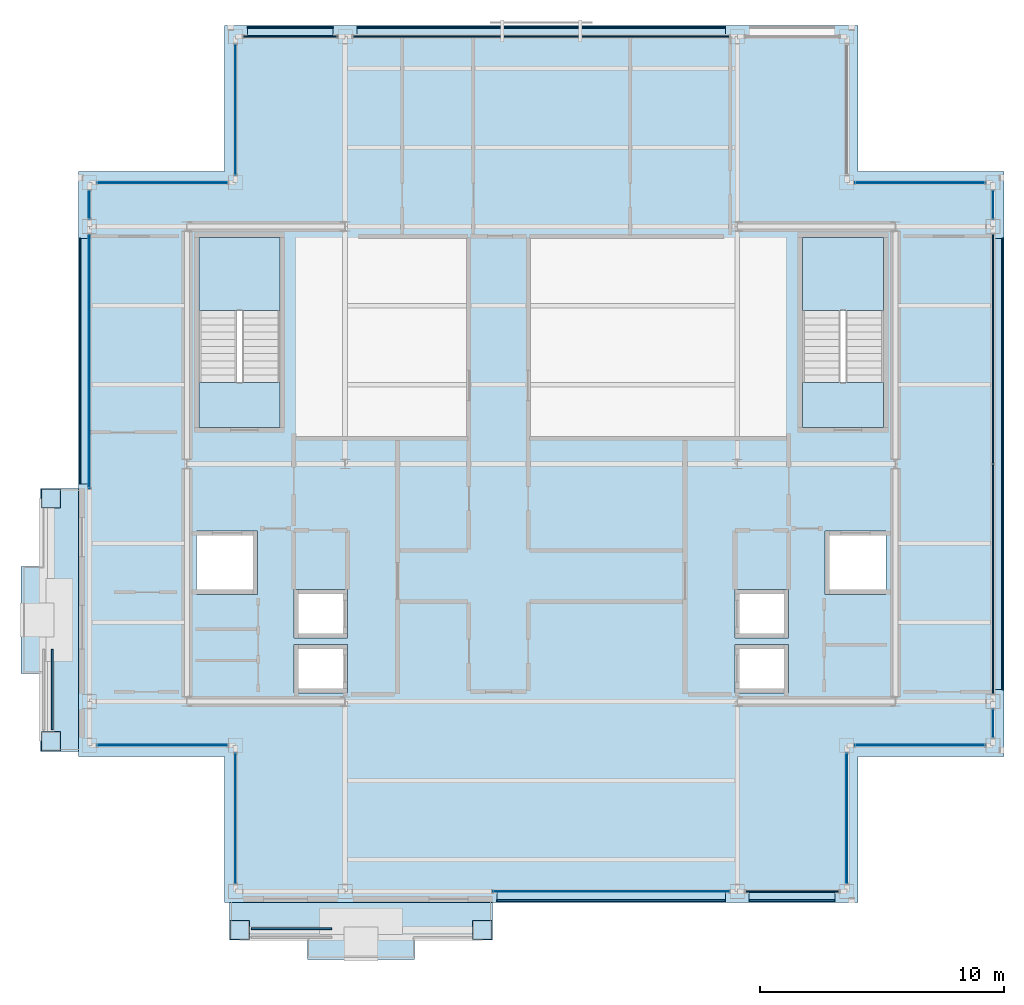
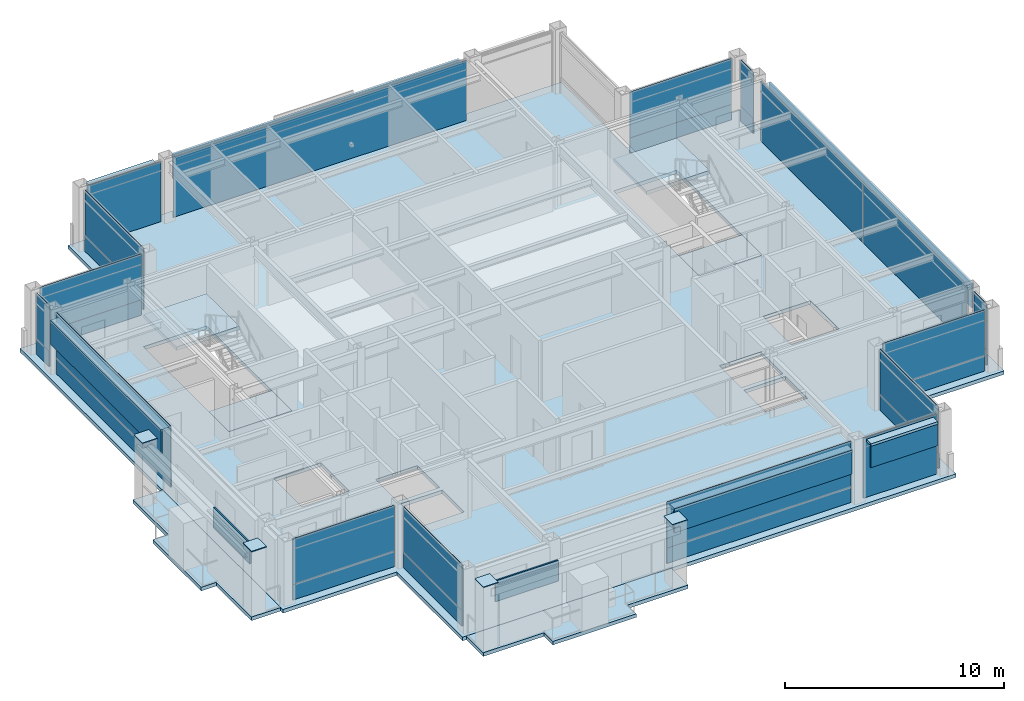
# One storey, part 22 of 28: 47 plates, 7 slabs, 18 elements without a shape of their own.
"""IFC4 building model written with IfcOpenShell, lengths in metres."""

import ifcopenshell
import ifcopenshell.guid

model = None  # the IFC model being written
_history = None  # IfcOwnerHistory: only IFC2X3 demands one
_inside = {}  # id of a spatial element -> (the spatial element, [elements in it])
_under = {}  # id of a project, library or spatial element -> (it, [spatial elements below it])
_declared = {}  # id of a project -> (the project, [libraries it declares])
_typed = {}  # id of a type object -> (the type object, [elements of that type])
_made_of = {}  # id of a material, layer set ... -> (it, [elements and type objects made of it])


def new_model(schema):
    """Start an empty IFC model of exactly this schema.

    Asked for "IFC4X3", IfcOpenShell would pick the latest addendum, in which some entities
    have other attributes; the version numbers below select the first issue.
    IFC2X3 requires an IfcOwnerHistory on every rooted entity: one is made here for all.
    """
    global model, _history
    if schema == "IFC4X3":
        model = ifcopenshell.file(schema_version=(4, 3, 0, 0))
    else:
        model = ifcopenshell.file(schema=schema)
    _inside.clear()
    _under.clear()
    _declared.clear()
    _typed.clear()
    _made_of.clear()
    _history = None
    if model.schema == "IFC2X3":
        org = make("IfcOrganization", Name="unknown")
        user = make(
            "IfcPersonAndOrganization",
            ThePerson=make("IfcPerson", FamilyName="unknown"),
            TheOrganization=org,
        )
        app = make(
            "IfcApplication",
            ApplicationDeveloper=org,
            Version="unknown",
            ApplicationFullName="unknown",
            ApplicationIdentifier="unknown",
        )
        _history = make(
            "IfcOwnerHistory",
            OwningUser=user,
            OwningApplication=app,
            ChangeAction="ADDED",
            CreationDate=0,
        )
    return model


def make(cls, **values):
    """One entity of the class cls with the attributes given. An attribute that is None is left unset."""
    return model.create_entity(
        cls, **{name: value for name, value in values.items() if value is not None}
    )


def rooted(cls, **values):
    """An entity with a GlobalId (a new one), such as an element, a storey or a relation."""
    return make(cls, GlobalId=ifcopenshell.guid.new(), OwnerHistory=_history, **values)


def si_unit(unit_type, name, prefix=None):
    """IfcSIUnit, for example si_unit("LENGTHUNIT", "METRE", prefix="MILLI")."""
    return make("IfcSIUnit", UnitType=unit_type, Prefix=prefix, Name=name)


def assignment(units):
    """IfcUnitAssignment: the units of a project."""
    return None if units is None else make("IfcUnitAssignment", Units=units)


def point(xyz):
    """IfcCartesianPoint."""
    return None if xyz is None else make("IfcCartesianPoint", Coordinates=xyz)


def direction(xyz):
    """IfcDirection."""
    return None if xyz is None else make("IfcDirection", DirectionRatios=xyz)


def frame(location, z_axis=None, x_axis=None):
    """IfcAxis2Placement3D, a coordinate frame: its origin and axes. An axis left out is left unset."""
    return make(
        "IfcAxis2Placement3D",
        Location=point(location),
        Axis=direction(z_axis),
        RefDirection=direction(x_axis),
    )


def frame_2d(location, x_axis=None):
    """IfcAxis2Placement2D, a coordinate frame in the plane: its origin and x axis."""
    return make(
        "IfcAxis2Placement2D", Location=point(location), RefDirection=direction(x_axis)
    )


def origin():
    """The frame at (0, 0, 0) with its axes left unset."""
    return frame((0.0, 0.0, 0.0))


def origin_2d():
    """The frame at (0, 0) in the plane with its x axis left unset."""
    return frame_2d((0.0, 0.0))


def place(relative_to, where):
    """IfcLocalPlacement: puts the frame where relative to a parent placement (None: the world)."""
    return make(
        "IfcLocalPlacement", PlacementRelTo=relative_to, RelativePlacement=where
    )


def context(
    kind, dimensions, precision=None, world=None, true_north=None, identifier=None
):
    """IfcGeometricRepresentationContext, for example the 3D "Model" context."""
    return make(
        "IfcGeometricRepresentationContext",
        ContextIdentifier=identifier,
        ContextType=kind,
        CoordinateSpaceDimension=dimensions,
        Precision=precision,
        WorldCoordinateSystem=world,
        TrueNorth=true_north,
    )


def subcontext(parent, identifier, kind, view, scale=None):
    """IfcGeometricRepresentationSubContext, for example "Body" below "Model"."""
    return make(
        "IfcGeometricRepresentationSubContext",
        ContextIdentifier=identifier,
        ContextType=kind,
        ParentContext=parent,
        TargetScale=scale,
        TargetView=view,
    )


def project(units=None, contexts=None):
    """IfcProject with its units and contexts."""
    return rooted(
        "IfcProject",
        Name="project",
        RepresentationContexts=contexts,
        UnitsInContext=assignment(units),
    )


def spatial(cls, under=None, at=None, **own):
    """A site, building, storey or space (cls), placed at a placement, below another one or the project."""
    s = rooted(cls, ObjectPlacement=at, **own)
    if under is not None:
        _under.setdefault(under.id(), (under, []))[1].append(s)
    return s


def polyline(points):
    """IfcPolyline through the points."""
    return make("IfcPolyline", Points=[point(p) for p in points])


def profile(cls, at=None, kind="AREA", **sizes):
    """A parametric profile (cls). Its sizes go by their IFC names, for example OverallWidth=200.0."""
    return make(cls, ProfileType=kind, Position=at, **sizes)


def rectangle(**sizes):
    """IfcRectangleProfileDef."""
    return profile("IfcRectangleProfileDef", **sizes)


def outline(outer, holes=None, kind="AREA"):
    """IfcArbitraryClosedProfileDef: a profile drawn as a closed curve; with holes, ...WithVoids."""
    if holes is None:
        return make("IfcArbitraryClosedProfileDef", ProfileType=kind, OuterCurve=outer)
    return make(
        "IfcArbitraryProfileDefWithVoids",
        ProfileType=kind,
        OuterCurve=outer,
        InnerCurves=holes,
    )


def extrude(swept, where, along, depth):
    """IfcExtrudedAreaSolid: the profile swept, set in the frame where, extruded along a direction by depth."""
    return make(
        "IfcExtrudedAreaSolid",
        SweptArea=swept,
        Position=where,
        ExtrudedDirection=direction(along),
        Depth=depth,
    )


def shape(context_of_items, identifier, shape_type, items):
    """IfcShapeRepresentation: the items that make up one representation, for example the "Body"."""
    return make(
        "IfcShapeRepresentation",
        ContextOfItems=context_of_items,
        RepresentationIdentifier=identifier,
        RepresentationType=shape_type,
        Items=items,
    )


def material(Name=None, Category=None):
    """IfcMaterial."""
    return make("IfcMaterial", Name=Name, Category=Category)


def layer(
    of_material, thickness, ventilated=None, Name=None, Category=None, Priority=None
):
    """IfcMaterialLayer: one layer of a wall or slab, of a material (None: an air gap)."""
    return make(
        "IfcMaterialLayer",
        Material=of_material,
        LayerThickness=thickness,
        IsVentilated=ventilated,
        Name=Name,
        Category=Category,
        Priority=Priority,
    )


def layer_set(layers, Name=None):
    """IfcMaterialLayerSet."""
    return make("IfcMaterialLayerSet", MaterialLayers=layers, LayerSetName=Name)


def made_of(thing, what):
    """Note that an element or type object is made of a material, layer set ...; save() writes the relation."""
    if what is not None:
        _made_of.setdefault(what.id(), (what, []))[1].append(thing)
    return thing


def type_object(cls, material=None, **own):
    """A type object (cls), such as IfcWallType, which elements share."""
    return made_of(rooted(cls, **own), material)


def element(
    cls,
    number,
    at=None,
    inside=None,
    cuts=None,
    type_object=None,
    material=None,
    context=None,
    identifier="Body",
    shape_type=None,
    held_by="IfcProductDefinitionShape",
    body=None,
    shapes=None,
    **own,
):
    """One element of the class cls, such as IfcWall. Its Tag is "e" and its number.

    at: its placement. inside: the storey or other place that contains it. cuts: it is an
    opening in that element (IfcRelVoidsElement). A single representation is given by context,
    identifier, shape_type and body (its items); several are given by shapes. held_by: the class
    of the entity that holds the representations. save() writes the other relations.
    """
    e = rooted(cls, Tag="e%d" % number, ObjectPlacement=at, **own)
    if body is not None:
        shapes = [shape(context, identifier, shape_type, body)]
    if shapes is not None:
        e.Representation = make(held_by, Representations=shapes)
    if inside is not None:
        _inside.setdefault(inside.id(), (inside, []))[1].append(e)
    if cuts is not None:
        rooted(
            "IfcRelVoidsElement", RelatingBuildingElement=cuts, RelatedOpeningElement=e
        )
    if type_object is not None:
        _typed.setdefault(type_object.id(), (type_object, []))[1].append(e)
    return made_of(e, material)


def aggregate(whole, parts):
    """IfcRelAggregates: a whole, such as a stair, and the parts it consists of."""
    return rooted("IfcRelAggregates", RelatingObject=whole, RelatedObjects=parts)


def save(model, path):
    """Write the relations noted so far, then the file.

    IfcRelAggregates (storeys below a building ...), IfcRelContainedInSpatialStructure (elements
    in a storey), IfcRelDefinesByType, IfcRelAssociatesMaterial and IfcRelDeclares: one each for
    every whole, place, type object, material and project.
    """
    for whole, parts in _under.values():
        aggregate(whole, parts)
    for where, things in _inside.values():
        rooted(
            "IfcRelContainedInSpatialStructure",
            RelatedElements=things,
            RelatingStructure=where,
        )
    for kind, things in _typed.values():
        rooted("IfcRelDefinesByType", RelatedObjects=things, RelatingType=kind)
    for what, things in _made_of.values():
        rooted("IfcRelAssociatesMaterial", RelatedObjects=things, RelatingMaterial=what)
    for by, libraries in _declared.values():
        rooted("IfcRelDeclares", RelatingContext=by, RelatedDefinitions=libraries)
    model.write(path)


model = new_model("IFC4")

# Units and contexts
model_context = context("Model", 3, precision=1e-05, world=origin(), true_north=direction((0.0, 1.0)))
body_context = subcontext(model_context, "Body", "Model", "MODEL_VIEW")
ifc_project = project(units=[si_unit("LENGTHUNIT", "METRE"), si_unit("AREAUNIT", "SQUARE_METRE"), si_unit("VOLUMEUNIT", "CUBIC_METRE"), si_unit("PLANEANGLEUNIT", "RADIAN"), si_unit("MASSUNIT", "GRAM", prefix="KILO")], contexts=[model_context])

# Site, building, storey
site_placement = place(None, origin())
site = spatial("IfcSite", under=ifc_project, at=site_placement, CompositionType="ELEMENT")
building_placement = place(site_placement, origin())
building = spatial("IfcBuilding", under=site, at=building_placement, Name="Brelmoor Portico Tower", CompositionType="ELEMENT")
storey_placement = place(building_placement, frame((0.0, 0.0, 265.199951171875)))
storey = spatial("IfcBuildingStorey", under=building, at=storey_placement, Name="L70", CompositionType="ELEMENT", Elevation=265.199951171875)

# Plates
ifc_material_1 = material(Name="Steel Q355B", Category="steel")
ifc_layer_1 = layer(ifc_material_1, 0.044921875)
ifc_layer_set_1 = layer_set([ifc_layer_1], Name="Steel Q355B")
plate_type_1 = type_object("IfcPlateType", Name="PT-CAP-650", PredefinedType="SHEET", material=ifc_layer_set_1)
for number, where, z_axis, x_axis, name in (
    (1, (-12.3798828125, -19.1298828125, 3.60009765625), (0.0, 0.0, 1.0), (1.0, 0.0, 0.0), "L70 Proud Picture-Frame Pier PFJ-S1 Welded Head Cap Plate"),
    (2, (-2.419921875, -19.1298828125, 3.60009765625), (0.0, 0.0, 1.0), (1.0, 0.0, 0.0), "L70 Proud Picture-Frame Pier PFJ-S2 Welded Head Cap Plate"),
    (3, (-20.1298828125, -11.3798828125, 3.60009765625), (0.0, 0.0, 1.0), (0.0, 1.0, 0.0), "L70 Proud Picture-Frame Pier PFJ-W1 Welded Head Cap Plate"),
    (4, (-20.1298828125, -1.419921875, 3.60009765625), (0.0, 0.0, 1.0), (0.0, 1.0, 0.0), "L70 Proud Picture-Frame Pier PFJ-W2 Welded Head Cap Plate"),
):
    element("IfcPlate", number, at=place(storey_placement, frame(where, z_axis=z_axis, x_axis=x_axis)), inside=storey, type_object=plate_type_1, Name=name, PredefinedType="SHEET", context=body_context, shape_type="SweptSolid", body=[
        extrude(rectangle(XDim=0.7900390625, YDim=0.7900390625, at=origin_2d()), origin(), (0.0, 0.0, 1.0), 0.0400390625),
    ])

# Curtain wall, plate
ifc_material_2 = material(Name="Anodised Aluminium Alloy 6063-T6", Category="aluminium")
ifc_layer_2 = layer(ifc_material_2, 0.179931640625)
ifc_layer_set_2 = layer_set([ifc_layer_2], Name="Anodised Aluminium Alloy 6063-T6")
curtain_wall_type_1 = type_object("IfcCurtainWallType", Name="CW-TOWER-Z4", PredefinedType="NOTDEFINED", material=ifc_layer_set_2)
curtain_wall_1_placement = place(storey_placement, origin())
curtain_wall_1 = element("IfcCurtainWall", 5, at=curtain_wall_1_placement, inside=storey, type_object=curtain_wall_type_1, Name="L70 Curtain Wall CW-L70-1R-1", PredefinedType="NOTDEFINED")
ifc_material_3 = material(Name="Double-Silver Low-E Insulated Glazing", Category="glass")
ifc_layer_3 = layer(ifc_material_3, 0.035888671875)
ifc_layer_set_3 = layer_set([ifc_layer_3], Name="Double-Silver Low-E Insulated Glazing")
plate_type_2 = type_object("IfcPlateType", Name="PT-CW-GLASS", PredefinedType="CURTAIN_PANEL", material=ifc_layer_set_3)
plate_1_placement = place(storey_placement, frame((2.8701171875, -17.550048828125, 0.85009765625), z_axis=(0.0, 0.0, 1.0), x_axis=(1.0, 0.0, 0.0)))
plate_1 = element("IfcPlate", 6, at=plate_1_placement, type_object=plate_type_2, Name="CW-L70-1R-1 Vision Glass Panel 00", PredefinedType="CURTAIN_PANEL", context=body_context, shape_type="SweptSolid", body=[
    extrude(rectangle(XDim=9.7099609375, YDim=0.035888671875, at=origin_2d()), origin(), (0.0, 0.0, 1.0), 2.550048828125),
])

curtain_wall_2_placement = place(storey_placement, origin())
curtain_wall_2 = element("IfcCurtainWall", 7, at=curtain_wall_2_placement, inside=storey, type_object=curtain_wall_type_1, Name="L70 Curtain Wall CW-L70-3R-1", PredefinedType="NOTDEFINED")
plate_2_placement = place(storey_placement, frame((-18.550048828125, 4.219970703125, 0.85009765625), z_axis=(0.0, 0.0, 1.0), x_axis=(0.0, 1.0, 0.0)))
plate_2 = element("IfcPlate", 8, at=plate_2_placement, type_object=plate_type_2, Name="CW-L70-3R-1 Vision Glass Panel 00", PredefinedType="CURTAIN_PANEL", context=body_context, shape_type="SweptSolid", body=[
    extrude(rectangle(XDim=10.409912109375, YDim=0.035888671875, at=origin_2d()), origin(), (0.0, 0.0, 1.0), 2.550048828125),
])

curtain_wall_3_placement = place(storey_placement, origin())
curtain_wall_3 = element("IfcCurtainWall", 9, at=curtain_wall_3_placement, inside=storey, type_object=curtain_wall_type_1, Name="L70 Curtain Wall CW-L70-3R-2", PredefinedType="NOTDEFINED")
plate_3_placement = place(storey_placement, frame((-18.550048828125, 10.64990234375, 0.85009765625), z_axis=(0.0, 0.0, 1.0), x_axis=(0.0, 1.0, 0.0)))
plate_3 = element("IfcPlate", 10, at=plate_3_placement, type_object=plate_type_2, Name="CW-L70-3R-2 Vision Glass Panel 00", PredefinedType="CURTAIN_PANEL", context=body_context, shape_type="SweptSolid", body=[
    extrude(rectangle(XDim=1.14990234375, YDim=0.035888671875, at=origin_2d()), origin(), (0.0, 0.0, 1.0), 2.550048828125),
])

curtain_wall_4_placement = place(storey_placement, origin())
curtain_wall_4 = element("IfcCurtainWall", 11, at=curtain_wall_4_placement, inside=storey, type_object=curtain_wall_type_1, Name="L70 Curtain Wall CW-L70-04-1", PredefinedType="NOTDEFINED")
plate_4_placement = place(storey_placement, frame((18.550048828125, -10.64990234375, 0.85009765625), z_axis=(0.0, 0.0, 1.0), x_axis=(0.0, 1.0, 0.0)))
plate_4 = element("IfcPlate", 12, at=plate_4_placement, type_object=plate_type_2, Name="CW-L70-04-1 Vision Glass Panel 00", PredefinedType="CURTAIN_PANEL", context=body_context, shape_type="SweptSolid", body=[
    extrude(rectangle(XDim=1.14990234375, YDim=0.035888671875, at=origin_2d()), origin(), (0.0, 0.0, 1.0), 2.550048828125),
])

curtain_wall_5_placement = place(storey_placement, origin())
curtain_wall_5 = element("IfcCurtainWall", 13, at=curtain_wall_5_placement, inside=storey, type_object=curtain_wall_type_1, Name="L70 Curtain Wall CW-L70-04-3", PredefinedType="NOTDEFINED")
plate_5_placement = place(storey_placement, frame((18.550048828125, 10.64990234375, 0.85009765625), z_axis=(0.0, 0.0, 1.0), x_axis=(0.0, 1.0, 0.0)))
plate_5 = element("IfcPlate", 14, at=plate_5_placement, type_object=plate_type_2, Name="CW-L70-04-3 Vision Glass Panel 00", PredefinedType="CURTAIN_PANEL", context=body_context, shape_type="SweptSolid", body=[
    extrude(rectangle(XDim=1.14990234375, YDim=0.035888671875, at=origin_2d()), origin(), (0.0, 0.0, 1.0), 2.550048828125),
])

ifc_layer_4 = layer(ifc_material_2, 0.179931640625)
ifc_layer_set_4 = layer_set([ifc_layer_4], Name="Anodised Aluminium Alloy 6063-T6")
curtain_wall_type_2 = type_object("IfcCurtainWallType", Name="CW-NOTCH-CHAMFER", PredefinedType="NOTDEFINED", material=ifc_layer_set_4)
curtain_wall_6_placement = place(storey_placement, origin())
curtain_wall_6 = element("IfcCurtainWall", 15, at=curtain_wall_6_placement, inside=storey, type_object=curtain_wall_type_2, Name="L70 Curtain Wall CWN-L70-SWH", PredefinedType="NOTDEFINED")
plate_6_placement = place(storey_placement, frame((-15.550048828125, -11.550048828125, 0.85009765625), z_axis=(0.0, 0.0, 1.0), x_axis=(1.0, 0.0, 0.0)))
plate_6 = element("IfcPlate", 16, at=plate_6_placement, type_object=plate_type_2, Name="CWN-L70-SWH Vision Glass Panel 00", PredefinedType="CURTAIN_PANEL", context=body_context, shape_type="SweptSolid", body=[
    extrude(rectangle(XDim=5.35009765625, YDim=0.035888671875, at=origin_2d()), origin(), (0.0, 0.0, 1.0), 2.550048828125),
])

curtain_wall_7_placement = place(storey_placement, origin())
curtain_wall_7 = element("IfcCurtainWall", 17, at=curtain_wall_7_placement, inside=storey, type_object=curtain_wall_type_2, Name="L70 Curtain Wall CWN-L70-SWV", PredefinedType="NOTDEFINED")
plate_7_placement = place(storey_placement, frame((-12.550048828125, -14.550048828125, 0.85009765625), z_axis=(0.0, 0.0, 1.0), x_axis=(0.0, 1.0, 0.0)))
plate_7 = element("IfcPlate", 18, at=plate_7_placement, type_object=plate_type_2, Name="CWN-L70-SWV Vision Glass Panel 00", PredefinedType="CURTAIN_PANEL", context=body_context, shape_type="SweptSolid", body=[
    extrude(rectangle(XDim=5.35009765625, YDim=0.035888671875, at=origin_2d()), origin(), (0.0, 0.0, 1.0), 2.550048828125),
])

curtain_wall_8_placement = place(storey_placement, origin())
curtain_wall_8 = element("IfcCurtainWall", 19, at=curtain_wall_8_placement, inside=storey, type_object=curtain_wall_type_2, Name="L70 Curtain Wall CWN-L70-SEH", PredefinedType="NOTDEFINED")
plate_8_placement = place(storey_placement, frame((15.550048828125, -11.550048828125, 0.85009765625), z_axis=(0.0, 0.0, 1.0), x_axis=(1.0, 0.0, 0.0)))
plate_8 = element("IfcPlate", 20, at=plate_8_placement, type_object=plate_type_2, Name="CWN-L70-SEH Vision Glass Panel 00", PredefinedType="CURTAIN_PANEL", context=body_context, shape_type="SweptSolid", body=[
    extrude(rectangle(XDim=5.35009765625, YDim=0.035888671875, at=origin_2d()), origin(), (0.0, 0.0, 1.0), 2.550048828125),
])

curtain_wall_9_placement = place(storey_placement, origin())
curtain_wall_9 = element("IfcCurtainWall", 21, at=curtain_wall_9_placement, inside=storey, type_object=curtain_wall_type_2, Name="L70 Curtain Wall CWN-L70-SEV", PredefinedType="NOTDEFINED")
plate_9_placement = place(storey_placement, frame((12.550048828125, -14.550048828125, 0.85009765625), z_axis=(0.0, 0.0, 1.0), x_axis=(0.0, 1.0, 0.0)))
plate_9 = element("IfcPlate", 22, at=plate_9_placement, type_object=plate_type_2, Name="CWN-L70-SEV Vision Glass Panel 00", PredefinedType="CURTAIN_PANEL", context=body_context, shape_type="SweptSolid", body=[
    extrude(rectangle(XDim=5.35009765625, YDim=0.035888671875, at=origin_2d()), origin(), (0.0, 0.0, 1.0), 2.550048828125),
])

curtain_wall_10_placement = place(storey_placement, origin())
curtain_wall_10 = element("IfcCurtainWall", 23, at=curtain_wall_10_placement, inside=storey, type_object=curtain_wall_type_2, Name="L70 Curtain Wall CWN-L70-NWH", PredefinedType="NOTDEFINED")
plate_10_placement = place(storey_placement, frame((-15.550048828125, 11.550048828125, 0.85009765625), z_axis=(0.0, 0.0, 1.0), x_axis=(1.0, 0.0, 0.0)))
plate_10 = element("IfcPlate", 24, at=plate_10_placement, type_object=plate_type_2, Name="CWN-L70-NWH Vision Glass Panel 00", PredefinedType="CURTAIN_PANEL", context=body_context, shape_type="SweptSolid", body=[
    extrude(rectangle(XDim=5.35009765625, YDim=0.035888671875, at=origin_2d()), origin(), (0.0, 0.0, 1.0), 2.550048828125),
])

curtain_wall_11_placement = place(storey_placement, origin())
curtain_wall_11 = element("IfcCurtainWall", 25, at=curtain_wall_11_placement, inside=storey, type_object=curtain_wall_type_2, Name="L70 Curtain Wall CWN-L70-NWV", PredefinedType="NOTDEFINED")
plate_11_placement = place(storey_placement, frame((-12.550048828125, 14.550048828125, 0.85009765625), z_axis=(0.0, 0.0, 1.0), x_axis=(0.0, 1.0, 0.0)))
plate_11 = element("IfcPlate", 26, at=plate_11_placement, type_object=plate_type_2, Name="CWN-L70-NWV Vision Glass Panel 00", PredefinedType="CURTAIN_PANEL", context=body_context, shape_type="SweptSolid", body=[
    extrude(rectangle(XDim=5.35009765625, YDim=0.035888671875, at=origin_2d()), origin(), (0.0, 0.0, 1.0), 2.550048828125),
])

curtain_wall_12_placement = place(storey_placement, origin())
curtain_wall_12 = element("IfcCurtainWall", 27, at=curtain_wall_12_placement, inside=storey, type_object=curtain_wall_type_2, Name="L70 Curtain Wall CWN-L70-NEH", PredefinedType="NOTDEFINED")
plate_12_placement = place(storey_placement, frame((15.550048828125, 11.550048828125, 0.85009765625), z_axis=(0.0, 0.0, 1.0), x_axis=(1.0, 0.0, 0.0)))
plate_12 = element("IfcPlate", 28, at=plate_12_placement, type_object=plate_type_2, Name="CWN-L70-NEH Vision Glass Panel 00", PredefinedType="CURTAIN_PANEL", context=body_context, shape_type="SweptSolid", body=[
    extrude(rectangle(XDim=5.35009765625, YDim=0.035888671875, at=origin_2d()), origin(), (0.0, 0.0, 1.0), 2.550048828125),
])

# Plate
ifc_material_4 = material(Name="Pale Champagne Anodised Aluminium Panel", Category="aluminium")
ifc_layer_5 = layer(ifc_material_4, 0.050048828125)
ifc_layer_set_5 = layer_set([ifc_layer_5], Name="Pale Champagne Anodised Aluminium Panel")
plate_type_3 = type_object("IfcPlateType", Name="PT-CW-SPANDREL", PredefinedType="SHEET", material=ifc_layer_set_5)
plate_13_placement = place(storey_placement, frame((2.8701171875, -17.550048828125, 0.0), z_axis=(0.0, 0.0, 1.0), x_axis=(1.0, 0.0, 0.0)))
plate_13 = element("IfcPlate", 29, at=plate_13_placement, type_object=plate_type_3, Name="CW-L70-1R-1 Spandrel Panel 00", PredefinedType="SHEET", context=body_context, shape_type="SweptSolid", body=[
    extrude(rectangle(XDim=9.7099609375, YDim=0.050048828125, at=origin_2d()), origin(), (0.0, 0.0, 1.0), 0.85009765625),
])

aggregate(curtain_wall_1, [plate_13, plate_1])

# Curtain wall, plate
ifc_layer_6 = layer(ifc_material_2, 0.179931640625)
ifc_layer_set_6 = layer_set([ifc_layer_6], Name="Anodised Aluminium Alloy 6063-T6")
curtain_wall_type_3 = type_object("IfcCurtainWallType", Name="CW-TOWER-Z4-XB", PredefinedType="NOTDEFINED", material=ifc_layer_set_6)
curtain_wall_13_placement = place(storey_placement, origin())
curtain_wall_13 = element("IfcCurtainWall", 30, at=curtain_wall_13_placement, inside=storey, type_object=curtain_wall_type_3, Name="L70 Curtain Wall CW-L70-1R-2", PredefinedType="NOTDEFINED")
plate_14_placement = place(storey_placement, frame((10.300048828125, -17.550048828125, 0.0), z_axis=(0.0, 0.0, 1.0), x_axis=(1.0, 0.0, 0.0)))
plate_14 = element("IfcPlate", 31, at=plate_14_placement, type_object=plate_type_3, Name="CW-L70-1R-2 Spandrel Panel 00", PredefinedType="SHEET", context=body_context, shape_type="SweptSolid", body=[
    extrude(rectangle(XDim=3.85009765625, YDim=0.050048828125, at=origin_2d()), origin(), (0.0, 0.0, 1.0), 3.33740234375),
])
aggregate(curtain_wall_13, [plate_14])

curtain_wall_14_placement = place(storey_placement, origin())
curtain_wall_14 = element("IfcCurtainWall", 32, at=curtain_wall_14_placement, inside=storey, type_object=curtain_wall_type_3, Name="L70 Curtain Wall CW-L70-02-1", PredefinedType="NOTDEFINED")
plate_15_placement = place(storey_placement, frame((-10.300048828125, 17.550048828125, 0.0), z_axis=(0.0, 0.0, 1.0), x_axis=(1.0, 0.0, 0.0)))
plate_15 = element("IfcPlate", 33, at=plate_15_placement, type_object=plate_type_3, Name="CW-L70-02-1 Spandrel Panel 00", PredefinedType="SHEET", context=body_context, shape_type="SweptSolid", body=[
    extrude(rectangle(XDim=3.85009765625, YDim=0.050048828125, at=origin_2d()), origin(), (0.0, 0.0, 1.0), 3.33740234375),
])
aggregate(curtain_wall_14, [plate_15])

curtain_wall_15_placement = place(storey_placement, origin())
curtain_wall_15 = element("IfcCurtainWall", 34, at=curtain_wall_15_placement, inside=storey, type_object=curtain_wall_type_3, Name="L70 Curtain Wall CW-L70-02-2", PredefinedType="NOTDEFINED")
plate_16_placement = place(storey_placement, frame((0.0, 17.550048828125, 0.0), z_axis=(0.0, 0.0, 1.0), x_axis=(1.0, 0.0, 0.0)))
plate_16 = element("IfcPlate", 35, at=plate_16_placement, type_object=plate_type_3, Name="CW-L70-02-2 Spandrel Panel 00", PredefinedType="SHEET", context=body_context, shape_type="SweptSolid", body=[
    extrude(rectangle(XDim=15.449951171875, YDim=0.050048828125, at=origin_2d()), origin(), (0.0, 0.0, 1.0), 3.33740234375),
])
aggregate(curtain_wall_15, [plate_16])

# Plate
plate_17_placement = place(storey_placement, frame((-18.550048828125, 4.219970703125, 0.0), z_axis=(0.0, 0.0, 1.0), x_axis=(0.0, 1.0, 0.0)))
plate_17 = element("IfcPlate", 36, at=plate_17_placement, type_object=plate_type_3, Name="CW-L70-3R-1 Spandrel Panel 00", PredefinedType="SHEET", context=body_context, shape_type="SweptSolid", body=[
    extrude(rectangle(XDim=10.409912109375, YDim=0.050048828125, at=origin_2d()), origin(), (0.0, 0.0, 1.0), 0.85009765625),
])

aggregate(curtain_wall_2, [plate_17, plate_2])

plate_18_placement = place(storey_placement, frame((-18.550048828125, 10.64990234375, 0.0), z_axis=(0.0, 0.0, 1.0), x_axis=(0.0, 1.0, 0.0)))
plate_18 = element("IfcPlate", 37, at=plate_18_placement, type_object=plate_type_3, Name="CW-L70-3R-2 Spandrel Panel 00", PredefinedType="SHEET", context=body_context, shape_type="SweptSolid", body=[
    extrude(rectangle(XDim=1.14990234375, YDim=0.050048828125, at=origin_2d()), origin(), (0.0, 0.0, 1.0), 0.85009765625),
])

aggregate(curtain_wall_3, [plate_18, plate_3])

plate_19_placement = place(storey_placement, frame((18.550048828125, -10.64990234375, 0.0), z_axis=(0.0, 0.0, 1.0), x_axis=(0.0, 1.0, 0.0)))
plate_19 = element("IfcPlate", 38, at=plate_19_placement, type_object=plate_type_3, Name="CW-L70-04-1 Spandrel Panel 00", PredefinedType="SHEET", context=body_context, shape_type="SweptSolid", body=[
    extrude(rectangle(XDim=1.14990234375, YDim=0.050048828125, at=origin_2d()), origin(), (0.0, 0.0, 1.0), 0.85009765625),
])

aggregate(curtain_wall_4, [plate_19, plate_4])

# Curtain wall, plates
curtain_wall_16_placement = place(storey_placement, origin())
curtain_wall_16 = element("IfcCurtainWall", 39, at=curtain_wall_16_placement, inside=storey, type_object=curtain_wall_type_3, Name="L70 Curtain Wall CW-L70-04-2", PredefinedType="NOTDEFINED")
plate_20_placement = place(storey_placement, frame((18.550048828125, -4.719970703125, 0.0), z_axis=(0.0, 0.0, 1.0), x_axis=(0.0, 1.0, 0.0)))
plate_20 = element("IfcPlate", 40, at=plate_20_placement, type_object=plate_type_3, Name="CW-L70-04-2 Spandrel Panel 00", PredefinedType="SHEET", context=body_context, shape_type="SweptSolid", body=[
    extrude(rectangle(XDim=9.409912109375, YDim=0.050048828125, at=origin_2d()), origin(), (0.0, 0.0, 1.0), 3.33740234375),
])
plate_21_placement = place(storey_placement, frame((18.550048828125, 4.719970703125, 0.0), z_axis=(0.0, 0.0, 1.0), x_axis=(0.0, 1.0, 0.0)))
plate_21 = element("IfcPlate", 41, at=plate_21_placement, type_object=plate_type_3, Name="CW-L70-04-2 Spandrel Panel 01", PredefinedType="SHEET", context=body_context, shape_type="SweptSolid", body=[
    extrude(rectangle(XDim=9.409912109375, YDim=0.050048828125, at=origin_2d()), origin(), (0.0, 0.0, 1.0), 3.33740234375),
])
aggregate(curtain_wall_16, [plate_20, plate_21])

# Plate
plate_22_placement = place(storey_placement, frame((18.550048828125, 10.64990234375, 0.0), z_axis=(0.0, 0.0, 1.0), x_axis=(0.0, 1.0, 0.0)))
plate_22 = element("IfcPlate", 42, at=plate_22_placement, type_object=plate_type_3, Name="CW-L70-04-3 Spandrel Panel 00", PredefinedType="SHEET", context=body_context, shape_type="SweptSolid", body=[
    extrude(rectangle(XDim=1.14990234375, YDim=0.050048828125, at=origin_2d()), origin(), (0.0, 0.0, 1.0), 0.85009765625),
])

aggregate(curtain_wall_5, [plate_22, plate_5])

plate_23_placement = place(storey_placement, frame((-15.550048828125, -11.550048828125, 0.0), z_axis=(0.0, 0.0, 1.0), x_axis=(1.0, 0.0, 0.0)))
plate_23 = element("IfcPlate", 43, at=plate_23_placement, type_object=plate_type_3, Name="CWN-L70-SWH Spandrel Panel 00", PredefinedType="SHEET", context=body_context, shape_type="SweptSolid", body=[
    extrude(rectangle(XDim=5.35009765625, YDim=0.050048828125, at=origin_2d()), origin(), (0.0, 0.0, 1.0), 0.85009765625),
])

aggregate(curtain_wall_6, [plate_23, plate_6])

plate_24_placement = place(storey_placement, frame((-12.550048828125, -14.550048828125, 0.0), z_axis=(0.0, 0.0, 1.0), x_axis=(0.0, 1.0, 0.0)))
plate_24 = element("IfcPlate", 44, at=plate_24_placement, type_object=plate_type_3, Name="CWN-L70-SWV Spandrel Panel 00", PredefinedType="SHEET", context=body_context, shape_type="SweptSolid", body=[
    extrude(rectangle(XDim=5.35009765625, YDim=0.050048828125, at=origin_2d()), origin(), (0.0, 0.0, 1.0), 0.85009765625),
])

aggregate(curtain_wall_7, [plate_24, plate_7])

plate_25_placement = place(storey_placement, frame((15.550048828125, -11.550048828125, 0.0), z_axis=(0.0, 0.0, 1.0), x_axis=(1.0, 0.0, 0.0)))
plate_25 = element("IfcPlate", 45, at=plate_25_placement, type_object=plate_type_3, Name="CWN-L70-SEH Spandrel Panel 00", PredefinedType="SHEET", context=body_context, shape_type="SweptSolid", body=[
    extrude(rectangle(XDim=5.35009765625, YDim=0.050048828125, at=origin_2d()), origin(), (0.0, 0.0, 1.0), 0.85009765625),
])

aggregate(curtain_wall_8, [plate_25, plate_8])

plate_26_placement = place(storey_placement, frame((12.550048828125, -14.550048828125, 0.0), z_axis=(0.0, 0.0, 1.0), x_axis=(0.0, 1.0, 0.0)))
plate_26 = element("IfcPlate", 46, at=plate_26_placement, type_object=plate_type_3, Name="CWN-L70-SEV Spandrel Panel 00", PredefinedType="SHEET", context=body_context, shape_type="SweptSolid", body=[
    extrude(rectangle(XDim=5.35009765625, YDim=0.050048828125, at=origin_2d()), origin(), (0.0, 0.0, 1.0), 0.85009765625),
])

aggregate(curtain_wall_9, [plate_26, plate_9])

plate_27_placement = place(storey_placement, frame((-15.550048828125, 11.550048828125, 0.0), z_axis=(0.0, 0.0, 1.0), x_axis=(1.0, 0.0, 0.0)))
plate_27 = element("IfcPlate", 47, at=plate_27_placement, type_object=plate_type_3, Name="CWN-L70-NWH Spandrel Panel 00", PredefinedType="SHEET", context=body_context, shape_type="SweptSolid", body=[
    extrude(rectangle(XDim=5.35009765625, YDim=0.050048828125, at=origin_2d()), origin(), (0.0, 0.0, 1.0), 0.85009765625),
])

aggregate(curtain_wall_10, [plate_27, plate_10])

plate_28_placement = place(storey_placement, frame((-12.550048828125, 14.550048828125, 0.0), z_axis=(0.0, 0.0, 1.0), x_axis=(0.0, 1.0, 0.0)))
plate_28 = element("IfcPlate", 48, at=plate_28_placement, type_object=plate_type_3, Name="CWN-L70-NWV Spandrel Panel 00", PredefinedType="SHEET", context=body_context, shape_type="SweptSolid", body=[
    extrude(rectangle(XDim=5.35009765625, YDim=0.050048828125, at=origin_2d()), origin(), (0.0, 0.0, 1.0), 0.85009765625),
])

aggregate(curtain_wall_11, [plate_28, plate_11])

plate_29_placement = place(storey_placement, frame((15.550048828125, 11.550048828125, 0.0), z_axis=(0.0, 0.0, 1.0), x_axis=(1.0, 0.0, 0.0)))
plate_29 = element("IfcPlate", 49, at=plate_29_placement, type_object=plate_type_3, Name="CWN-L70-NEH Spandrel Panel 00", PredefinedType="SHEET", context=body_context, shape_type="SweptSolid", body=[
    extrude(rectangle(XDim=5.35009765625, YDim=0.050048828125, at=origin_2d()), origin(), (0.0, 0.0, 1.0), 0.85009765625),
])

aggregate(curtain_wall_12, [plate_29, plate_12])

# Plates
ifc_material_5 = material(Name="Powder-Coated Aluminium Shuttered Jalousie Louvre", Category="aluminium")
ifc_layer_7 = layer(ifc_material_5, 0.06005859375)
ifc_layer_set_7 = layer_set([ifc_layer_7], Name="Powder-Coated Aluminium Shuttered Jalousie Louvre")
plate_type_4 = type_object("IfcPlateType", Name="PT-JALOUSIE-SHUTTER", PredefinedType="SHEET", material=ifc_layer_set_7)
plate_30_placement = place(storey_placement, frame((2.8701171875, -17.929931640625, 1.8740234375), z_axis=(0.0, 0.0, 1.0), x_axis=(1.0, 0.0, 0.0)))
element("IfcPlate", 50, at=plate_30_placement, inside=storey, type_object=plate_type_4, Name="CW-L70-1R-1 Perforated Jalousie Solar Screen", PredefinedType="SHEET", context=body_context, shape_type="SweptSolid", body=[
    extrude(rectangle(XDim=9.3798828125, YDim=0.06494140625, at=origin_2d()), origin(), (0.0, 0.0, 1.0), 1.325927734375),
])
plate_31_placement = place(storey_placement, frame((10.300048828125, -17.929931640625, 1.8740234375), z_axis=(0.0, 0.0, 1.0), x_axis=(1.0, 0.0, 0.0)))
element("IfcPlate", 51, at=plate_31_placement, inside=storey, type_object=plate_type_4, Name="CW-L70-1R-2 Perforated Jalousie Solar Screen", PredefinedType="SHEET", context=body_context, shape_type="SweptSolid", body=[
    extrude(rectangle(XDim=3.52001953125, YDim=0.06494140625, at=origin_2d()), origin(), (0.0, 0.0, 1.0), 1.325927734375),
])
plate_32_placement = place(storey_placement, frame((-10.25, -19.080078125, 2.275146484375), z_axis=(0.0, 0.0, 1.0), x_axis=(1.0, 0.0, 0.0)))
element("IfcPlate", 52, at=plate_32_placement, inside=storey, type_object=plate_type_4, Name="L70 Shuttered Veranda Screen S", PredefinedType="SHEET", context=body_context, shape_type="SweptSolid", body=[
    extrude(rectangle(XDim=3.300048828125, YDim=0.080078125, at=origin_2d()), origin(), (0.0, 0.0, 1.0), 1.14990234375),
])
plate_33_placement = place(storey_placement, frame((-10.300048828125, 17.929931640625, 1.8740234375), z_axis=(0.0, 0.0, 1.0), x_axis=(1.0, 0.0, 0.0)))
element("IfcPlate", 53, at=plate_33_placement, inside=storey, type_object=plate_type_4, Name="CW-L70-02-1 Perforated Jalousie Solar Screen", PredefinedType="SHEET", context=body_context, shape_type="SweptSolid", body=[
    extrude(rectangle(XDim=3.52001953125, YDim=0.06494140625, at=origin_2d()), origin(), (0.0, 0.0, 1.0), 1.325927734375),
])
plate_34_placement = place(storey_placement, frame((0.0, 17.929931640625, 1.8740234375), z_axis=(0.0, 0.0, 1.0), x_axis=(1.0, 0.0, 0.0)))
element("IfcPlate", 54, at=plate_34_placement, inside=storey, type_object=plate_type_4, Name="CW-L70-02-2 Perforated Jalousie Solar Screen", PredefinedType="SHEET", context=body_context, shape_type="SweptSolid", body=[
    extrude(rectangle(XDim=15.1201171875, YDim=0.06494140625, at=origin_2d()), origin(), (0.0, 0.0, 1.0), 1.325927734375),
])
plate_35_placement = place(storey_placement, frame((-18.929931640625, 4.219970703125, 1.8740234375), z_axis=(0.0, 0.0, 1.0), x_axis=(0.0, 1.0, 0.0)))
element("IfcPlate", 55, at=plate_35_placement, inside=storey, type_object=plate_type_4, Name="CW-L70-3R-1 Perforated Jalousie Solar Screen", PredefinedType="SHEET", context=body_context, shape_type="SweptSolid", body=[
    extrude(rectangle(XDim=10.080078125, YDim=0.06494140625, at=origin_2d()), origin(), (0.0, 0.0, 1.0), 1.325927734375),
])
plate_36_placement = place(storey_placement, frame((-20.080078125, -9.25, 2.275146484375), z_axis=(0.0, 0.0, 1.0), x_axis=(0.0, 1.0, 0.0)))
element("IfcPlate", 56, at=plate_36_placement, inside=storey, type_object=plate_type_4, Name="L70 Shuttered Veranda Screen W", PredefinedType="SHEET", context=body_context, shape_type="SweptSolid", body=[
    extrude(rectangle(XDim=3.300048828125, YDim=0.080078125, at=origin_2d()), origin(), (0.0, 0.0, 1.0), 1.14990234375),
])
plate_37_placement = place(storey_placement, frame((18.929931640625, 0.0, 1.8740234375), z_axis=(0.0, 0.0, 1.0), x_axis=(0.0, 1.0, 0.0)))
element("IfcPlate", 57, at=plate_37_placement, inside=storey, type_object=plate_type_4, Name="CW-L70-04-2 Perforated Jalousie Solar Screen", PredefinedType="SHEET", context=body_context, shape_type="SweptSolid", body=[
    extrude(rectangle(XDim=18.52001953125, YDim=0.06494140625, at=origin_2d()), origin(), (0.0, 0.0, 1.0), 1.325927734375),
])
ifc_material_6 = material(Name="Pale Champagne Perforated Aluminium Solar Screen", Category="aluminium")
ifc_layer_8 = layer(ifc_material_6, 0.054931640625)
ifc_layer_set_8 = layer_set([ifc_layer_8], Name="Pale Champagne Perforated Aluminium Solar Screen")
plate_type_5 = type_object("IfcPlateType", Name="PT-SOLAR-LOUVRE", PredefinedType="SHEET", material=ifc_layer_set_8)
plate_38_placement = place(storey_placement, frame((2.8701171875, -17.760009765625, 3.09033203125), z_axis=(0.0, 0.0, 1.0), x_axis=(1.0, 0.0, 0.0)))
element("IfcPlate", 58, at=plate_38_placement, inside=storey, type_object=plate_type_5, Name="CW-L70-1R-1 Caribbean Brise-Soleil Solar Screen", PredefinedType="SHEET", context=body_context, shape_type="SweptSolid", body=[
    extrude(rectangle(XDim=9.3798828125, YDim=0.4599609375, at=origin_2d()), origin(), (0.0, 0.0, 1.0), 0.139892578125),
])
for number, where, z_axis, x_axis, name in (
    (59, (10.300048828125, -17.760009765625, 3.09033203125), (0.0, 0.0, 1.0), (1.0, 0.0, 0.0), "CW-L70-1R-2 Caribbean Brise-Soleil Solar Screen"),
    (60, (-10.300048828125, 17.760009765625, 3.09033203125), (0.0, 0.0, 1.0), (1.0, 0.0, 0.0), "CW-L70-02-1 Caribbean Brise-Soleil Solar Screen"),
):
    element("IfcPlate", number, at=place(storey_placement, frame(where, z_axis=z_axis, x_axis=x_axis)), inside=storey, type_object=plate_type_5, Name=name, PredefinedType="SHEET", context=body_context, shape_type="SweptSolid", body=[
        extrude(rectangle(XDim=3.52001953125, YDim=0.4599609375, at=origin_2d()), origin(), (0.0, 0.0, 1.0), 0.139892578125),
    ])
plate_39_placement = place(storey_placement, frame((0.0, 17.760009765625, 3.09033203125), z_axis=(0.0, 0.0, 1.0), x_axis=(1.0, 0.0, 0.0)))
element("IfcPlate", 61, at=plate_39_placement, inside=storey, type_object=plate_type_5, Name="CW-L70-02-2 Caribbean Brise-Soleil Solar Screen", PredefinedType="SHEET", context=body_context, shape_type="SweptSolid", body=[
    extrude(rectangle(XDim=15.1201171875, YDim=0.4599609375, at=origin_2d()), origin(), (0.0, 0.0, 1.0), 0.139892578125),
])
plate_40_placement = place(storey_placement, frame((-18.760009765625, 4.219970703125, 3.09033203125), z_axis=(0.0, 0.0, 1.0), x_axis=(0.0, 1.0, 0.0)))
element("IfcPlate", 62, at=plate_40_placement, inside=storey, type_object=plate_type_5, Name="CW-L70-3R-1 Caribbean Brise-Soleil Solar Screen", PredefinedType="SHEET", context=body_context, shape_type="SweptSolid", body=[
    extrude(rectangle(XDim=10.080078125, YDim=0.4599609375, at=origin_2d()), origin(), (0.0, 0.0, 1.0), 0.139892578125),
])
plate_41_placement = place(storey_placement, frame((18.760009765625, 0.0, 3.09033203125), z_axis=(0.0, 0.0, 1.0), x_axis=(0.0, 1.0, 0.0)))
element("IfcPlate", 63, at=plate_41_placement, inside=storey, type_object=plate_type_5, Name="CW-L70-04-2 Caribbean Brise-Soleil Solar Screen", PredefinedType="SHEET", context=body_context, shape_type="SweptSolid", body=[
    extrude(rectangle(XDim=18.52001953125, YDim=0.4599609375, at=origin_2d()), origin(), (0.0, 0.0, 1.0), 0.139892578125),
])

# Slabs
ifc_material_7 = material(Name="Concrete C40", Category="concrete")
ifc_layer_9 = layer(ifc_material_7, 0.199951171875)
ifc_layer_set_9 = layer_set([ifc_layer_9], Name="Concrete C40")
slab_type_1 = type_object("IfcSlabType", Name="SL-BALCONY-200", PredefinedType="FLOOR", material=ifc_layer_set_9)
slab_1_placement = place(storey_placement, frame((0.0, 0.0, -0.199951171875)))
element("IfcSlab", 64, at=slab_1_placement, inside=storey, type_object=slab_type_1, Name="L70 Loggia Tree Balcony Slab S", PredefinedType="FLOOR", context=body_context, shape_type="SweptSolid", body=[
    extrude(outline(polyline([(-12.800048828125, -19.550048828125), (-9.60009765625, -19.550048828125), (-9.60009765625, -20.35009765625), (-5.199951171875, -20.35009765625), (-5.199951171875, -19.550048828125), (-2.0, -19.550048828125), (-2.0, -18.0), (-12.800048828125, -18.0), (-12.800048828125, -19.550048828125)])), origin(), (0.0, 0.0, 1.0), 0.199951171875),
])
slab_2_placement = place(storey_placement, frame((0.0, 0.0, -0.199951171875)))
element("IfcSlab", 65, at=slab_2_placement, inside=storey, type_object=slab_type_1, Name="L70 Loggia Tree Balcony Slab W", PredefinedType="FLOOR", context=body_context, shape_type="SweptSolid", body=[
    extrude(outline(polyline([(-20.550048828125, -11.800048828125), (-19.0, -11.800048828125), (-19.0, -1.0), (-20.550048828125, -1.0), (-20.550048828125, -4.199951171875), (-21.35009765625, -4.199951171875), (-21.35009765625, -8.60009765625), (-20.550048828125, -8.60009765625), (-20.550048828125, -11.800048828125)])), origin(), (0.0, 0.0, 1.0), 0.199951171875),
])
ifc_layer_10 = layer(ifc_material_7, 0.199951171875)
ifc_layer_set_10 = layer_set([ifc_layer_10], Name="Concrete C40")
slab_type_2 = type_object("IfcSlabType", Name="SL-FLOOR-200", PredefinedType="FLOOR", material=ifc_layer_set_10)
slab_3_placement = place(storey_placement, frame((0.0, 0.0, -0.199951171875)))
element("IfcSlab", 66, at=slab_3_placement, inside=storey, type_object=slab_type_2, Name="L70 Main Structural Floor Slab", PredefinedType="FLOOR", context=body_context, shape_type="SweptSolid", body=[
    extrude(outline(polyline([(-13.0, -18.0), (13.0, -18.0), (13.0, -12.0), (19.0, -12.0), (19.0, 12.0), (13.0, 12.0), (13.0, 18.0), (-13.0, 18.0), (-13.0, 12.0), (-19.0, 12.0), (-19.0, -12.0), (-13.0, -12.0), (-13.0, -18.0)]), holes=[polyline([(-10.72998046875, 1.5), (-10.72998046875, 9.300048828125), (-14.050048828125, 9.300048828125), (-14.050048828125, 1.5), (-10.72998046875, 1.5)]), polyline([(14.050048828125, 1.5), (14.050048828125, 9.300048828125), (10.72998046875, 9.300048828125), (10.72998046875, 1.5), (14.050048828125, 1.5)]), polyline([(-10.14990234375, -9.39990234375), (-7.949951171875, -9.39990234375), (-7.949951171875, -7.39990234375), (-10.14990234375, -7.39990234375), (-10.14990234375, -9.39990234375)]), polyline([(-10.14990234375, -7.14990234375), (-7.949951171875, -7.14990234375), (-7.949951171875, -5.14990234375), (-10.14990234375, -5.14990234375), (-10.14990234375, -7.14990234375)]), polyline([(7.949951171875, -9.39990234375), (10.14990234375, -9.39990234375), (10.14990234375, -7.39990234375), (7.949951171875, -7.39990234375), (7.949951171875, -9.39990234375)]), polyline([(7.949951171875, -7.14990234375), (10.14990234375, -7.14990234375), (10.14990234375, -5.14990234375), (7.949951171875, -5.14990234375), (7.949951171875, -7.14990234375)]), polyline([(-14.14990234375, -5.35009765625), (-11.64990234375, -5.35009765625), (-11.64990234375, -2.75), (-14.14990234375, -2.75), (-14.14990234375, -5.35009765625)]), polyline([(11.64990234375, -5.35009765625), (14.14990234375, -5.35009765625), (14.14990234375, -2.75), (11.64990234375, -2.75), (11.64990234375, -5.35009765625)])]), origin(), (0.0, 0.0, 1.0), 0.199951171875),
])

# Stair, slab
stair_type_1 = type_object("IfcStairType", Name="ST-CORE-W", PredefinedType="HALF_TURN_STAIR", material=ifc_material_7)
stair_1_placement = place(storey_placement, origin())
stair_1 = element("IfcStair", 67, at=stair_1_placement, inside=storey, type_object=stair_type_1, Name="L70 Protected Core Exit Stair ST-W", PredefinedType="HALF_TURN_STAIR")
ifc_layer_11 = layer(ifc_material_7, 0.179931640625)
ifc_layer_set_11 = layer_set([ifc_layer_11], Name="Concrete C40")
slab_type_3 = type_object("IfcSlabType", Name="SL-LANDING-180", PredefinedType="LANDING", material=ifc_layer_set_11)
slab_4_placement = place(storey_placement, frame((0.0, 0.0, 1.60009765625)))
slab_4 = element("IfcSlab", 68, at=slab_4_placement, type_object=slab_type_3, Name="ST-W landing 1", PredefinedType="LANDING", context=body_context, shape_type="SweptSolid", body=[
    extrude(outline(polyline([(-10.72998046875, 6.300048828125), (-10.72998046875, 9.300048828125), (-14.050048828125, 9.300048828125), (-14.050048828125, 6.300048828125), (-10.72998046875, 6.300048828125)])), origin(), (0.0, 0.0, 1.0), 0.199951171875),
])
aggregate(stair_1, [slab_4])

stair_type_2 = type_object("IfcStairType", Name="ST-CORE-E", PredefinedType="HALF_TURN_STAIR", material=ifc_material_7)
stair_2_placement = place(storey_placement, origin())
stair_2 = element("IfcStair", 69, at=stair_2_placement, inside=storey, type_object=stair_type_2, Name="L70 Protected Core Exit Stair ST-E", PredefinedType="HALF_TURN_STAIR")
slab_5_placement = place(storey_placement, frame((0.0, 0.0, 1.60009765625)))
slab_5 = element("IfcSlab", 70, at=slab_5_placement, type_object=slab_type_3, Name="ST-E landing 1", PredefinedType="LANDING", context=body_context, shape_type="SweptSolid", body=[
    extrude(outline(polyline([(14.050048828125, 6.300048828125), (14.050048828125, 9.300048828125), (10.72998046875, 9.300048828125), (10.72998046875, 6.300048828125), (14.050048828125, 6.300048828125)])), origin(), (0.0, 0.0, 1.0), 0.199951171875),
])
aggregate(stair_2, [slab_5])

# Slabs
ifc_layer_12 = layer(ifc_material_7, 0.199951171875)
ifc_layer_set_12 = layer_set([ifc_layer_12], Name="Concrete C40")
slab_type_4 = type_object("IfcSlabType", Name="SL-STAIR-FL200", PredefinedType="LANDING", material=ifc_layer_set_12)
slab_6_placement = place(storey_placement, frame((0.0, 0.0, -0.199951171875)))
element("IfcSlab", 71, at=slab_6_placement, inside=storey, type_object=slab_type_4, Name="L70 ST-W Structural Floor Landing Slab", PredefinedType="LANDING", context=body_context, shape_type="SweptSolid", body=[
    extrude(outline(polyline([(-10.72998046875, 1.5), (-10.72998046875, 3.35009765625), (-14.050048828125, 3.35009765625), (-14.050048828125, 1.5), (-10.72998046875, 1.5)])), origin(), (0.0, 0.0, 1.0), 0.199951171875),
])
slab_7_placement = place(storey_placement, frame((0.0, 0.0, -0.199951171875)))
element("IfcSlab", 72, at=slab_7_placement, inside=storey, type_object=slab_type_4, Name="L70 ST-E Structural Floor Landing Slab", PredefinedType="LANDING", context=body_context, shape_type="SweptSolid", body=[
    extrude(outline(polyline([(14.050048828125, 1.5), (14.050048828125, 3.35009765625), (10.72998046875, 3.35009765625), (10.72998046875, 1.5), (14.050048828125, 1.5)])), origin(), (0.0, 0.0, 1.0), 0.199951171875),
])

save(model, "model.ifc")
